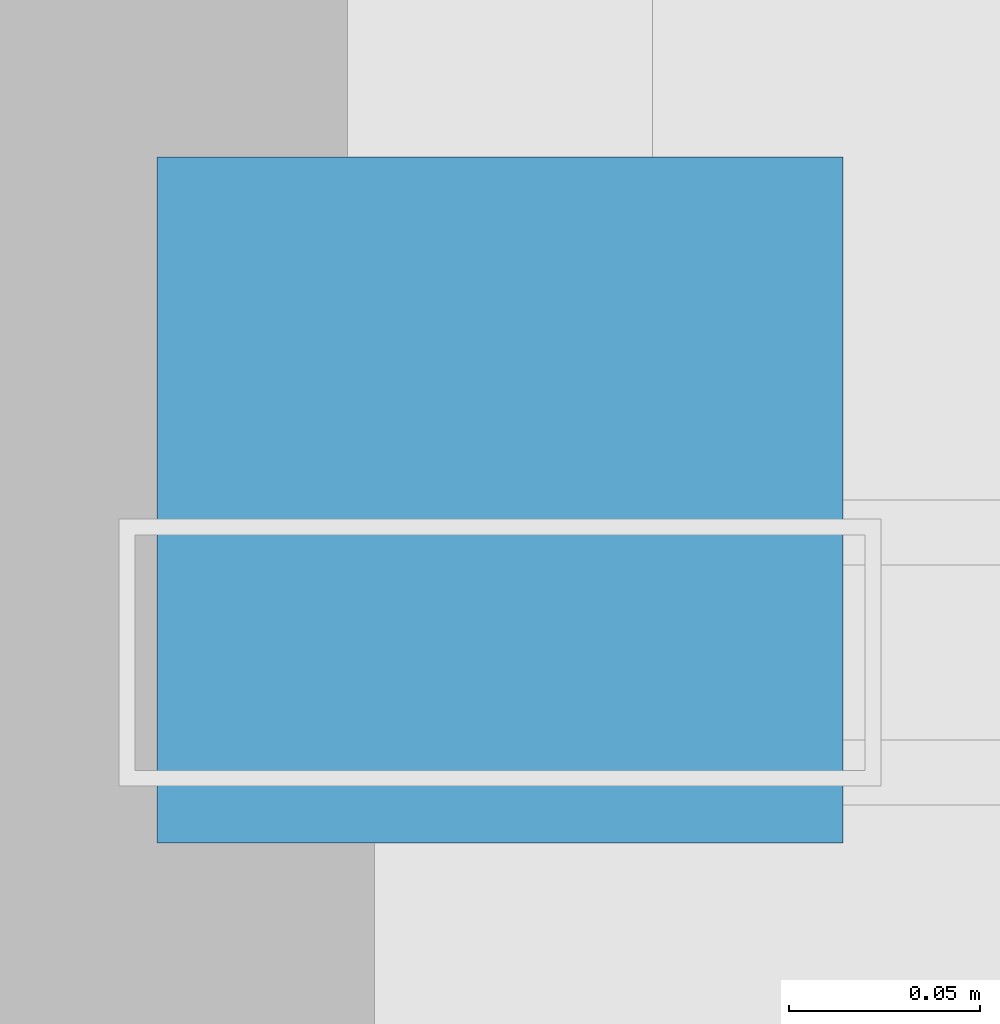
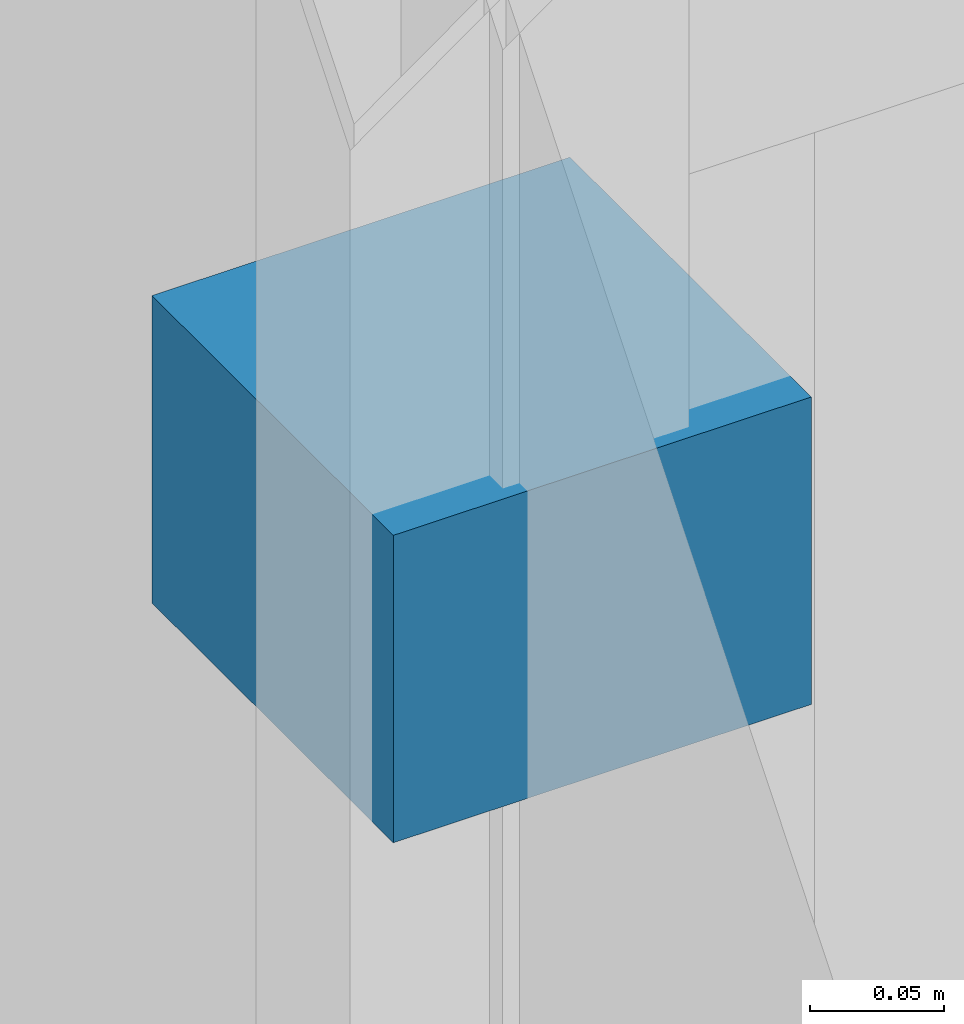
# One storey, part 67 of 80: 1 discrete accessory.
"""IFC4 building model written with IfcOpenShell, lengths in metres."""

from ifc_helpers import new_model, si_unit, direction, frame, origin, origin_2d, place, context, subcontext, project, spatial, rectangle, extrude, material, layer, layer_set, type_object, element, save


model = new_model("IFC4")

# Units and contexts
model_context = context("Model", 3, precision=1e-05, world=origin(), true_north=direction((0.0, 1.0)))
body_context = subcontext(model_context, "Body", "Model", "MODEL_VIEW")
ifc_project = project(units=[si_unit("LENGTHUNIT", "METRE"), si_unit("AREAUNIT", "SQUARE_METRE"), si_unit("VOLUMEUNIT", "CUBIC_METRE"), si_unit("PLANEANGLEUNIT", "RADIAN"), si_unit("MASSUNIT", "GRAM", prefix="KILO")], contexts=[model_context])

# Site, building, storey
site_placement = place(None, origin())
site = spatial("IfcSite", under=ifc_project, at=site_placement, CompositionType="ELEMENT")
building_placement = place(site_placement, origin())
building = spatial("IfcBuilding", under=site, at=building_placement, Name="Vaelkrest Opera House", CompositionType="ELEMENT")
storey_placement = place(building_placement, frame((0.0, 0.0, 15.0)))
storey = spatial("IfcBuildingStorey", under=building, at=storey_placement, Name="L03", CompositionType="ELEMENT", Elevation=15.0)

# Discrete accessory
ifc_material = material(Name="Steel A572 Gr50", Category="steel")
ifc_layer = layer(ifc_material, 0.139892578125)
ifc_layer_set = layer_set([ifc_layer], Name="Steel A572 Gr50")
discrete_accessory_type = type_object("IfcDiscreteAccessoryType", Name="BRK01", PredefinedType="BRACKET", material=ifc_layer_set)
discrete_accessory_placement = place(storey_placement, frame((-63.26708984375, 17.739990234375, 1.80322265625), z_axis=(0.0, 0.0, 1.0), x_axis=(0.0, 1.0, 0.0)))
element("IfcDiscreteAccessory", 1, at=discrete_accessory_placement, inside=storey, type_object=discrete_accessory_type, Name="Shading fin bracket 16", PredefinedType="BRACKET", context=body_context, shape_type="SweptSolid", body=[
    extrude(rectangle(XDim=0.179931640625, YDim=0.179931640625, at=origin_2d()), origin(), (0.0, 0.0, 1.0), 0.139892578125),
])

save(model, "model.ifc")
